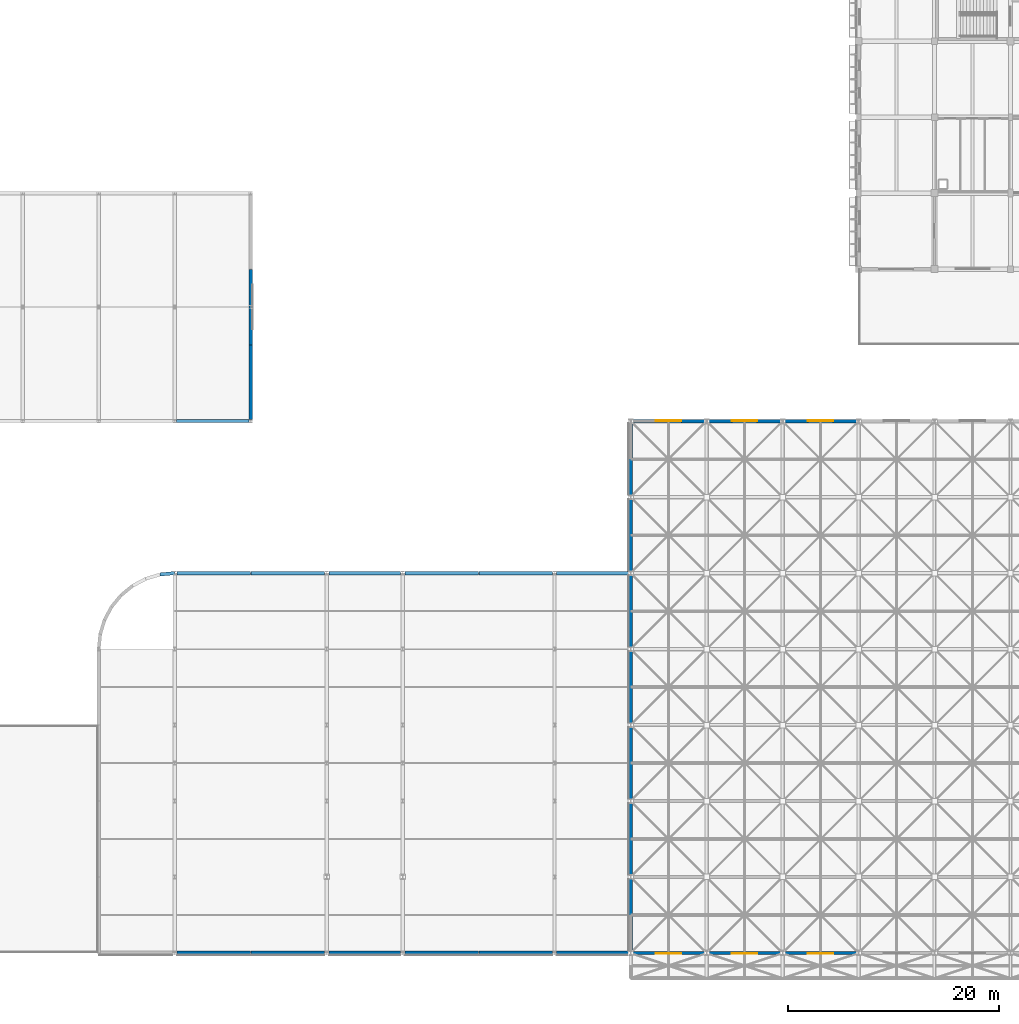
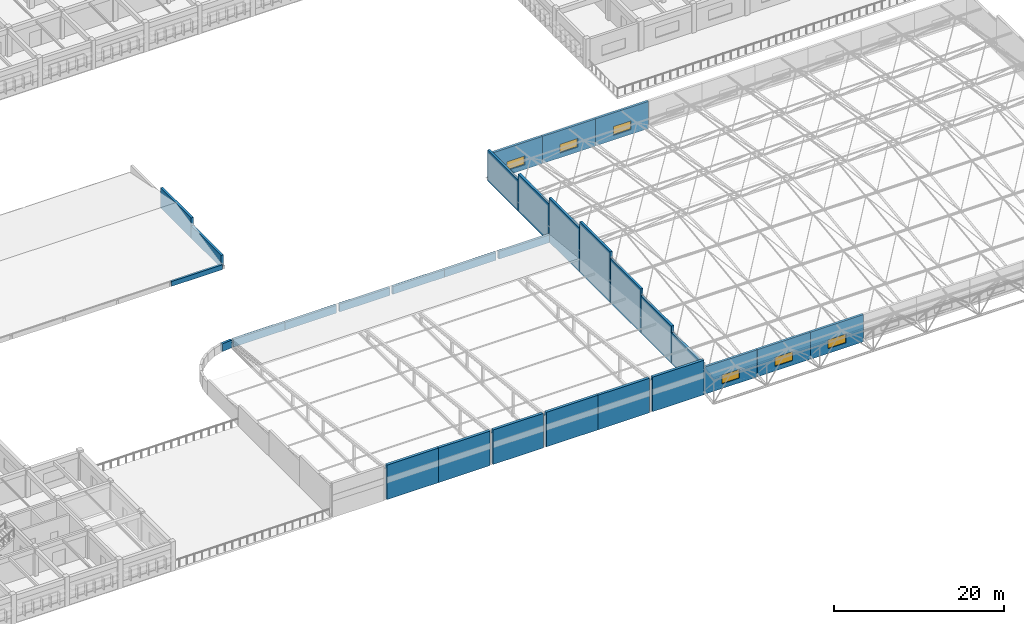
# One storey, part 84 of 103: 29 walls, 6 windows, 6 openings.
"""IFC4 building model written with IfcOpenShell, lengths in metres."""

import ifcopenshell
import ifcopenshell.guid

model = None  # the IFC model being written
_history = None  # IfcOwnerHistory: only IFC2X3 demands one
_inside = {}  # id of a spatial element -> (the spatial element, [elements in it])
_under = {}  # id of a project, library or spatial element -> (it, [spatial elements below it])
_declared = {}  # id of a project -> (the project, [libraries it declares])
_typed = {}  # id of a type object -> (the type object, [elements of that type])
_made_of = {}  # id of a material, layer set ... -> (it, [elements and type objects made of it])


def new_model(schema):
    """Start an empty IFC model of exactly this schema.

    Asked for "IFC4X3", IfcOpenShell would pick the latest addendum, in which some entities
    have other attributes; the version numbers below select the first issue.
    IFC2X3 requires an IfcOwnerHistory on every rooted entity: one is made here for all.
    """
    global model, _history
    if schema == "IFC4X3":
        model = ifcopenshell.file(schema_version=(4, 3, 0, 0))
    else:
        model = ifcopenshell.file(schema=schema)
    _inside.clear()
    _under.clear()
    _declared.clear()
    _typed.clear()
    _made_of.clear()
    _history = None
    if model.schema == "IFC2X3":
        org = make("IfcOrganization", Name="unknown")
        user = make(
            "IfcPersonAndOrganization",
            ThePerson=make("IfcPerson", FamilyName="unknown"),
            TheOrganization=org,
        )
        app = make(
            "IfcApplication",
            ApplicationDeveloper=org,
            Version="unknown",
            ApplicationFullName="unknown",
            ApplicationIdentifier="unknown",
        )
        _history = make(
            "IfcOwnerHistory",
            OwningUser=user,
            OwningApplication=app,
            ChangeAction="ADDED",
            CreationDate=0,
        )
    return model


def make(cls, **values):
    """One entity of the class cls with the attributes given. An attribute that is None is left unset."""
    return model.create_entity(
        cls, **{name: value for name, value in values.items() if value is not None}
    )


def rooted(cls, **values):
    """An entity with a GlobalId (a new one), such as an element, a storey or a relation."""
    return make(cls, GlobalId=ifcopenshell.guid.new(), OwnerHistory=_history, **values)


def si_unit(unit_type, name, prefix=None):
    """IfcSIUnit, for example si_unit("LENGTHUNIT", "METRE", prefix="MILLI")."""
    return make("IfcSIUnit", UnitType=unit_type, Prefix=prefix, Name=name)


def assignment(units):
    """IfcUnitAssignment: the units of a project."""
    return None if units is None else make("IfcUnitAssignment", Units=units)


def point(xyz):
    """IfcCartesianPoint."""
    return None if xyz is None else make("IfcCartesianPoint", Coordinates=xyz)


def direction(xyz):
    """IfcDirection."""
    return None if xyz is None else make("IfcDirection", DirectionRatios=xyz)


def frame(location, z_axis=None, x_axis=None):
    """IfcAxis2Placement3D, a coordinate frame: its origin and axes. An axis left out is left unset."""
    return make(
        "IfcAxis2Placement3D",
        Location=point(location),
        Axis=direction(z_axis),
        RefDirection=direction(x_axis),
    )


def frame_2d(location, x_axis=None):
    """IfcAxis2Placement2D, a coordinate frame in the plane: its origin and x axis."""
    return make(
        "IfcAxis2Placement2D", Location=point(location), RefDirection=direction(x_axis)
    )


def origin():
    """The frame at (0, 0, 0) with its axes left unset."""
    return frame((0.0, 0.0, 0.0))


def place(relative_to, where):
    """IfcLocalPlacement: puts the frame where relative to a parent placement (None: the world)."""
    return make(
        "IfcLocalPlacement", PlacementRelTo=relative_to, RelativePlacement=where
    )


def context(
    kind, dimensions, precision=None, world=None, true_north=None, identifier=None
):
    """IfcGeometricRepresentationContext, for example the 3D "Model" context."""
    return make(
        "IfcGeometricRepresentationContext",
        ContextIdentifier=identifier,
        ContextType=kind,
        CoordinateSpaceDimension=dimensions,
        Precision=precision,
        WorldCoordinateSystem=world,
        TrueNorth=true_north,
    )


def subcontext(parent, identifier, kind, view, scale=None):
    """IfcGeometricRepresentationSubContext, for example "Body" below "Model"."""
    return make(
        "IfcGeometricRepresentationSubContext",
        ContextIdentifier=identifier,
        ContextType=kind,
        ParentContext=parent,
        TargetScale=scale,
        TargetView=view,
    )


def project(units=None, contexts=None):
    """IfcProject with its units and contexts."""
    return rooted(
        "IfcProject",
        Name="project",
        RepresentationContexts=contexts,
        UnitsInContext=assignment(units),
    )


def spatial(cls, under=None, at=None, **own):
    """A site, building, storey or space (cls), placed at a placement, below another one or the project."""
    s = rooted(cls, ObjectPlacement=at, **own)
    if under is not None:
        _under.setdefault(under.id(), (under, []))[1].append(s)
    return s


def profile(cls, at=None, kind="AREA", **sizes):
    """A parametric profile (cls). Its sizes go by their IFC names, for example OverallWidth=200.0."""
    return make(cls, ProfileType=kind, Position=at, **sizes)


def rectangle(**sizes):
    """IfcRectangleProfileDef."""
    return profile("IfcRectangleProfileDef", **sizes)


def extrude(swept, where, along, depth):
    """IfcExtrudedAreaSolid: the profile swept, set in the frame where, extruded along a direction by depth."""
    return make(
        "IfcExtrudedAreaSolid",
        SweptArea=swept,
        Position=where,
        ExtrudedDirection=direction(along),
        Depth=depth,
    )


def shape(context_of_items, identifier, shape_type, items):
    """IfcShapeRepresentation: the items that make up one representation, for example the "Body"."""
    return make(
        "IfcShapeRepresentation",
        ContextOfItems=context_of_items,
        RepresentationIdentifier=identifier,
        RepresentationType=shape_type,
        Items=items,
    )


def material(Name=None, Category=None):
    """IfcMaterial."""
    return make("IfcMaterial", Name=Name, Category=Category)


def layer(
    of_material, thickness, ventilated=None, Name=None, Category=None, Priority=None
):
    """IfcMaterialLayer: one layer of a wall or slab, of a material (None: an air gap)."""
    return make(
        "IfcMaterialLayer",
        Material=of_material,
        LayerThickness=thickness,
        IsVentilated=ventilated,
        Name=Name,
        Category=Category,
        Priority=Priority,
    )


def layer_set(layers, Name=None):
    """IfcMaterialLayerSet."""
    return make("IfcMaterialLayerSet", MaterialLayers=layers, LayerSetName=Name)


def made_of(thing, what):
    """Note that an element or type object is made of a material, layer set ...; save() writes the relation."""
    if what is not None:
        _made_of.setdefault(what.id(), (what, []))[1].append(thing)
    return thing


def type_object(cls, material=None, **own):
    """A type object (cls), such as IfcWallType, which elements share."""
    return made_of(rooted(cls, **own), material)


def element(
    cls,
    number,
    at=None,
    inside=None,
    cuts=None,
    type_object=None,
    material=None,
    context=None,
    identifier="Body",
    shape_type=None,
    held_by="IfcProductDefinitionShape",
    body=None,
    shapes=None,
    **own,
):
    """One element of the class cls, such as IfcWall. Its Tag is "e" and its number.

    at: its placement. inside: the storey or other place that contains it. cuts: it is an
    opening in that element (IfcRelVoidsElement). A single representation is given by context,
    identifier, shape_type and body (its items); several are given by shapes. held_by: the class
    of the entity that holds the representations. save() writes the other relations.
    """
    e = rooted(cls, Tag="e%d" % number, ObjectPlacement=at, **own)
    if body is not None:
        shapes = [shape(context, identifier, shape_type, body)]
    if shapes is not None:
        e.Representation = make(held_by, Representations=shapes)
    if inside is not None:
        _inside.setdefault(inside.id(), (inside, []))[1].append(e)
    if cuts is not None:
        rooted(
            "IfcRelVoidsElement", RelatingBuildingElement=cuts, RelatedOpeningElement=e
        )
    if type_object is not None:
        _typed.setdefault(type_object.id(), (type_object, []))[1].append(e)
    return made_of(e, material)


def fill(opening, filler):
    """IfcRelFillsElement: the door or window that sits in an opening."""
    return rooted(
        "IfcRelFillsElement",
        RelatingOpeningElement=opening,
        RelatedBuildingElement=filler,
    )


def aggregate(whole, parts):
    """IfcRelAggregates: a whole, such as a stair, and the parts it consists of."""
    return rooted("IfcRelAggregates", RelatingObject=whole, RelatedObjects=parts)


def save(model, path):
    """Write the relations noted so far, then the file.

    IfcRelAggregates (storeys below a building ...), IfcRelContainedInSpatialStructure (elements
    in a storey), IfcRelDefinesByType, IfcRelAssociatesMaterial and IfcRelDeclares: one each for
    every whole, place, type object, material and project.
    """
    for whole, parts in _under.values():
        aggregate(whole, parts)
    for where, things in _inside.values():
        rooted(
            "IfcRelContainedInSpatialStructure",
            RelatedElements=things,
            RelatingStructure=where,
        )
    for kind, things in _typed.values():
        rooted("IfcRelDefinesByType", RelatedObjects=things, RelatingType=kind)
    for what, things in _made_of.values():
        rooted("IfcRelAssociatesMaterial", RelatedObjects=things, RelatingMaterial=what)
    for by, libraries in _declared.values():
        rooted("IfcRelDeclares", RelatingContext=by, RelatedDefinitions=libraries)
    model.write(path)


model = new_model("IFC4")

# Units and contexts
model_context = context("Model", 3, precision=1e-05, world=origin(), true_north=direction((0.0, 1.0)))
body_context = subcontext(model_context, "Body", "Model", "MODEL_VIEW")
ifc_project = project(units=[si_unit("LENGTHUNIT", "METRE"), si_unit("AREAUNIT", "SQUARE_METRE"), si_unit("VOLUMEUNIT", "CUBIC_METRE"), si_unit("PLANEANGLEUNIT", "RADIAN"), si_unit("MASSUNIT", "GRAM", prefix="KILO")], contexts=[model_context])

# Site, building, storey
site_placement = place(None, origin())
site = spatial("IfcSite", under=ifc_project, at=site_placement, CompositionType="ELEMENT")
building_placement = place(site_placement, origin())
building = spatial("IfcBuilding", under=site, at=building_placement, Name="Thalmaran Polytechnic", CompositionType="ELEMENT")
storey_placement = place(building_placement, frame((0.0, 0.0, 14.39990234375)))
storey = spatial("IfcBuildingStorey", under=building, at=storey_placement, Name="L03", CompositionType="ELEMENT", Elevation=14.39990234375)

# Walls
ifc_material_1 = material(Name="Precast concrete C40/50", Category="concrete")
ifc_layer_1 = layer(ifc_material_1, 0.360107421875, Name="Precast concrete C40/50")
ifc_layer_set_1 = layer_set([ifc_layer_1], Name="Precast concrete C40/50")
wall_type_1 = type_object("IfcWallType", Name="WL-EW01", PredefinedType="STANDARD", material=ifc_layer_set_1)
for number, where, z_axis, x_axis, name in (
    (1, (65.0, 0.0, -0.02001953125), (0.0, 0.0, 1.0), (1.0, 0.0, 0.0), "Lecture Auditorium Acoustic South Wall 09"),
    (2, (72.010009765625, 0.0, -0.02001953125), (0.0, 0.0, 1.0), (1.0, 0.0, 0.0), "Lecture Auditorium Acoustic South Wall 10"),
):
    element("IfcWall", number, at=place(storey_placement, frame(where, z_axis=z_axis, x_axis=x_axis)), inside=storey, type_object=wall_type_1, Name=name, PredefinedType="STANDARD", context=body_context, shape_type="SweptSolid", body=[
        extrude(rectangle(XDim=6.989990234375, YDim=0.3798828125, at=frame_2d((3.4951171875, 0.0))), origin(), (0.0, 0.0, 1.0), 4.9501953125),
    ])
wall_1_placement = place(storey_placement, frame((79.39990234375, 0.0, -0.02001953125), z_axis=(0.0, 0.0, 1.0), x_axis=(1.0, 0.0, 0.0)))
element("IfcWall", 3, at=wall_1_placement, inside=storey, type_object=wall_type_1, Name="Lecture Auditorium Acoustic South Wall 11", PredefinedType="STANDARD", context=body_context, shape_type="SweptSolid", body=[
    extrude(rectangle(XDim=6.800048828125, YDim=0.3798828125, at=frame_2d((3.39990234375, 0.0))), origin(), (0.0, 0.0, 1.0), 4.9501953125),
])
for number, where, z_axis, x_axis, name in (
    (4, (86.60009765625, 0.0, -0.02001953125), (0.0, 0.0, 1.0), (1.0, 0.0, 0.0), "Lecture Auditorium Acoustic South Wall 12"),
    (5, (93.610107421875, 0.0, -0.02001953125), (0.0, 0.0, 1.0), (1.0, 0.0, 0.0), "Lecture Auditorium Acoustic South Wall 13"),
    (6, (101.0, 0.0, -0.02001953125), (0.0, 0.0, 1.0), (1.0, 0.0, 0.0), "Lecture Auditorium Acoustic South Wall 14"),
):
    element("IfcWall", number, at=place(storey_placement, frame(where, z_axis=z_axis, x_axis=x_axis)), inside=storey, type_object=wall_type_1, Name=name, PredefinedType="STANDARD", context=body_context, shape_type="SweptSolid", body=[
        extrude(rectangle(XDim=6.989990234375, YDim=0.3798828125, at=frame_2d((3.4951171875, 0.0))), origin(), (0.0, 0.0, 1.0), 4.9501953125),
    ])

# Wall, opening, window
ifc_layer_2 = layer(ifc_material_1, 0.330078125, Name="Precast concrete C40/50")
ifc_layer_set_2 = layer_set([ifc_layer_2], Name="Precast concrete C40/50")
wall_type_2 = type_object("IfcWallType", Name="WL-EW02", PredefinedType="STANDARD", material=ifc_layer_set_2)
wall_2_placement = place(storey_placement, frame((108.010009765625, 0.0, -0.02001953125), z_axis=(0.0, 0.0, 1.0), x_axis=(1.0, 0.0, 0.0)))
wall_2 = element("IfcWall", 7, at=wall_2_placement, inside=storey, type_object=wall_type_2, Name="Workshop Space-Frame Eave Clerestory Wall S-15", PredefinedType="STANDARD", context=body_context, shape_type="SweptSolid", body=[
    extrude(rectangle(XDim=7.179931640625, YDim=0.320068359375, at=frame_2d((3.58984375, 0.0))), origin(), (0.0, 0.0, 1.0), 3.89013671875),
])
opening_1_placement = place(wall_2_placement, frame((2.389892578125, 0.0, 0.679931640625)))
opening_1 = element("IfcOpeningElement", 8, at=opening_1_placement, cuts=wall_2, Name="Opening CL03", PredefinedType="OPENING", context=body_context, shape_type="SweptSolid", body=[
    extrude(rectangle(XDim=2.39990234375, YDim=1.25, at=frame_2d((1.199951171875, 0.625))), frame((0.0, 0.169921875, 0.0), z_axis=(0.0, -1.0, 0.0), x_axis=(1.0, 0.0, 0.0)), (0.0, 0.0, 1.0), 0.340087890625),
])
ifc_material_2 = material(Name="Thermally broken aluminium and double low-E glass", Category="aluminium")
window_type = type_object("IfcWindowType", Name="WN-CL03", PartitioningType="DOUBLE_PANEL_VERTICAL", PredefinedType="WINDOW", material=ifc_material_2)
window_1_placement = place(opening_1_placement, origin())
window_1 = element("IfcWindow", 9, at=window_1_placement, inside=storey, type_object=window_type, Name="Workshop High-Bay Eave Clerestory S-15", OverallHeight=1.25, OverallWidth=2.39990234375, PartitioningType="SINGLE_PANEL", PredefinedType="WINDOW", context=body_context, shape_type="SweptSolid", body=[
    extrude(rectangle(XDim=2.39990234375, YDim=1.25, at=frame_2d((1.199951171875, 0.625))), frame((0.0, -0.010009765625, 0.0), z_axis=(0.0, -1.0, 0.0), x_axis=(1.0, 0.0, 0.0)), (0.0, 0.0, 1.0), 0.06005859375),
])
fill(opening_1, window_1)

wall_3_placement = place(storey_placement, frame((115.18994140625, 50.39990234375, -0.02001953125), z_axis=(0.0, 0.0, 1.0), x_axis=(-1.0, 0.0, 0.0)))
wall_3 = element("IfcWall", 10, at=wall_3_placement, inside=storey, type_object=wall_type_2, Name="Workshop Space-Frame Eave Clerestory Wall N-15", PredefinedType="STANDARD", context=body_context, shape_type="SweptSolid", body=[
    extrude(rectangle(XDim=7.179931640625, YDim=0.320068359375, at=frame_2d((3.58984375, 0.0))), origin(), (0.0, 0.0, 1.0), 3.89013671875),
])
opening_2_placement = place(wall_3_placement, frame((2.389892578125, 0.0, 0.679931640625)))
opening_2 = element("IfcOpeningElement", 11, at=opening_2_placement, cuts=wall_3, Name="Opening CL03", PredefinedType="OPENING", context=body_context, shape_type="SweptSolid", body=[
    extrude(rectangle(XDim=2.39990234375, YDim=1.25, at=frame_2d((1.199951171875, 0.625))), frame((0.0, 0.169921875, 0.0), z_axis=(0.0, -1.0, 0.0), x_axis=(1.0, 0.0, 0.0)), (0.0, 0.0, 1.0), 0.340087890625),
])
window_2_placement = place(opening_2_placement, origin())
window_2 = element("IfcWindow", 12, at=window_2_placement, inside=storey, type_object=window_type, Name="Workshop High-Bay Eave Clerestory N-15", OverallHeight=1.25, OverallWidth=2.39990234375, PartitioningType="SINGLE_PANEL", PredefinedType="WINDOW", context=body_context, shape_type="SweptSolid", body=[
    extrude(rectangle(XDim=2.39990234375, YDim=1.25, at=frame_2d((1.199951171875, 0.625))), frame((0.0, -0.010009765625, 0.0), z_axis=(0.0, -1.0, 0.0), x_axis=(1.0, 0.0, 0.0)), (0.0, 0.0, 1.0), 0.06005859375),
])
fill(opening_2, window_2)

wall_4_placement = place(storey_placement, frame((115.2099609375, 0.0, -0.02001953125), z_axis=(0.0, 0.0, 1.0), x_axis=(1.0, 0.0, 0.0)))
wall_4 = element("IfcWall", 13, at=wall_4_placement, inside=storey, type_object=wall_type_2, Name="Workshop Space-Frame Eave Clerestory Wall S-16", PredefinedType="STANDARD", context=body_context, shape_type="SweptSolid", body=[
    extrude(rectangle(XDim=7.179931640625, YDim=0.320068359375, at=frame_2d((3.58984375, 0.0))), origin(), (0.0, 0.0, 1.0), 3.89013671875),
])
opening_3_placement = place(wall_4_placement, frame((2.389892578125, 0.0, 0.679931640625)))
opening_3 = element("IfcOpeningElement", 14, at=opening_3_placement, cuts=wall_4, Name="Opening CL03", PredefinedType="OPENING", context=body_context, shape_type="SweptSolid", body=[
    extrude(rectangle(XDim=2.39990234375, YDim=1.25, at=frame_2d((1.199951171875, 0.625))), frame((0.0, 0.169921875, 0.0), z_axis=(0.0, -1.0, 0.0), x_axis=(1.0, 0.0, 0.0)), (0.0, 0.0, 1.0), 0.340087890625),
])
window_3_placement = place(opening_3_placement, origin())
window_3 = element("IfcWindow", 15, at=window_3_placement, inside=storey, type_object=window_type, Name="Workshop High-Bay Eave Clerestory S-16", OverallHeight=1.25, OverallWidth=2.39990234375, PartitioningType="SINGLE_PANEL", PredefinedType="WINDOW", context=body_context, shape_type="SweptSolid", body=[
    extrude(rectangle(XDim=2.39990234375, YDim=1.25, at=frame_2d((1.199951171875, 0.625))), frame((0.0, -0.010009765625, 0.0), z_axis=(0.0, -1.0, 0.0), x_axis=(1.0, 0.0, 0.0)), (0.0, 0.0, 1.0), 0.06005859375),
])
fill(opening_3, window_3)

wall_5_placement = place(storey_placement, frame((122.389892578125, 50.39990234375, -0.02001953125), z_axis=(0.0, 0.0, 1.0), x_axis=(-1.0, 0.0, 0.0)))
wall_5 = element("IfcWall", 16, at=wall_5_placement, inside=storey, type_object=wall_type_2, Name="Workshop Space-Frame Eave Clerestory Wall N-16", PredefinedType="STANDARD", context=body_context, shape_type="SweptSolid", body=[
    extrude(rectangle(XDim=7.179931640625, YDim=0.320068359375, at=frame_2d((3.58984375, 0.0))), origin(), (0.0, 0.0, 1.0), 3.89013671875),
])
opening_4_placement = place(wall_5_placement, frame((2.389892578125, 0.0, 0.679931640625)))
opening_4 = element("IfcOpeningElement", 17, at=opening_4_placement, cuts=wall_5, Name="Opening CL03", PredefinedType="OPENING", context=body_context, shape_type="SweptSolid", body=[
    extrude(rectangle(XDim=2.39990234375, YDim=1.25, at=frame_2d((1.199951171875, 0.625))), frame((0.0, 0.169921875, 0.0), z_axis=(0.0, -1.0, 0.0), x_axis=(1.0, 0.0, 0.0)), (0.0, 0.0, 1.0), 0.340087890625),
])
window_4_placement = place(opening_4_placement, origin())
window_4 = element("IfcWindow", 18, at=window_4_placement, inside=storey, type_object=window_type, Name="Workshop High-Bay Eave Clerestory N-16", OverallHeight=1.25, OverallWidth=2.39990234375, PartitioningType="SINGLE_PANEL", PredefinedType="WINDOW", context=body_context, shape_type="SweptSolid", body=[
    extrude(rectangle(XDim=2.39990234375, YDim=1.25, at=frame_2d((1.199951171875, 0.625))), frame((0.0, -0.010009765625, 0.0), z_axis=(0.0, -1.0, 0.0), x_axis=(1.0, 0.0, 0.0)), (0.0, 0.0, 1.0), 0.06005859375),
])
fill(opening_4, window_4)

wall_6_placement = place(storey_placement, frame((122.409912109375, 0.0, -0.02001953125), z_axis=(0.0, 0.0, 1.0), x_axis=(1.0, 0.0, 0.0)))
wall_6 = element("IfcWall", 19, at=wall_6_placement, inside=storey, type_object=wall_type_2, Name="Workshop Space-Frame Eave Clerestory Wall S-17", PredefinedType="STANDARD", context=body_context, shape_type="SweptSolid", body=[
    extrude(rectangle(XDim=7.18017578125, YDim=0.320068359375, at=frame_2d((3.590087890625, 0.0))), origin(), (0.0, 0.0, 1.0), 3.89013671875),
])
opening_5_placement = place(wall_6_placement, frame((2.389892578125, 0.0, 0.679931640625)))
opening_5 = element("IfcOpeningElement", 20, at=opening_5_placement, cuts=wall_6, Name="Opening CL03", PredefinedType="OPENING", context=body_context, shape_type="SweptSolid", body=[
    extrude(rectangle(XDim=2.39990234375, YDim=1.25, at=frame_2d((1.199951171875, 0.625))), frame((0.0, 0.169921875, 0.0), z_axis=(0.0, -1.0, 0.0), x_axis=(1.0, 0.0, 0.0)), (0.0, 0.0, 1.0), 0.340087890625),
])
window_5_placement = place(opening_5_placement, origin())
window_5 = element("IfcWindow", 21, at=window_5_placement, inside=storey, type_object=window_type, Name="Workshop High-Bay Eave Clerestory S-17", OverallHeight=1.25, OverallWidth=2.39990234375, PartitioningType="SINGLE_PANEL", PredefinedType="WINDOW", context=body_context, shape_type="SweptSolid", body=[
    extrude(rectangle(XDim=2.39990234375, YDim=1.25, at=frame_2d((1.199951171875, 0.625))), frame((0.0, -0.010009765625, 0.0), z_axis=(0.0, -1.0, 0.0), x_axis=(1.0, 0.0, 0.0)), (0.0, 0.0, 1.0), 0.06005859375),
])
fill(opening_5, window_5)

wall_7_placement = place(storey_placement, frame((129.590087890625, 50.39990234375, -0.02001953125), z_axis=(0.0, 0.0, 1.0), x_axis=(-1.0, 0.0, 0.0)))
wall_7 = element("IfcWall", 22, at=wall_7_placement, inside=storey, type_object=wall_type_2, Name="Workshop Space-Frame Eave Clerestory Wall N-17", PredefinedType="STANDARD", context=body_context, shape_type="SweptSolid", body=[
    extrude(rectangle(XDim=7.18017578125, YDim=0.320068359375, at=frame_2d((3.590087890625, 0.0))), origin(), (0.0, 0.0, 1.0), 3.89013671875),
])
opening_6_placement = place(wall_7_placement, frame((2.389892578125, 0.0, 0.679931640625)))
opening_6 = element("IfcOpeningElement", 23, at=opening_6_placement, cuts=wall_7, Name="Opening CL03", PredefinedType="OPENING", context=body_context, shape_type="SweptSolid", body=[
    extrude(rectangle(XDim=2.39990234375, YDim=1.25, at=frame_2d((1.199951171875, 0.625))), frame((0.0, 0.169921875, 0.0), z_axis=(0.0, -1.0, 0.0), x_axis=(1.0, 0.0, 0.0)), (0.0, 0.0, 1.0), 0.340087890625),
])
window_6_placement = place(opening_6_placement, origin())
window_6 = element("IfcWindow", 24, at=window_6_placement, inside=storey, type_object=window_type, Name="Workshop High-Bay Eave Clerestory N-17", OverallHeight=1.25, OverallWidth=2.39990234375, PartitioningType="SINGLE_PANEL", PredefinedType="WINDOW", context=body_context, shape_type="SweptSolid", body=[
    extrude(rectangle(XDim=2.39990234375, YDim=1.25, at=frame_2d((1.199951171875, 0.625))), frame((0.0, -0.010009765625, 0.0), z_axis=(0.0, -1.0, 0.0), x_axis=(1.0, 0.0, 0.0)), (0.0, 0.0, 1.0), 0.06005859375),
])
fill(opening_6, window_6)

# Walls
wall_8_placement = place(storey_placement, frame((108.0, 7.18994140625, -0.02001953125), z_axis=(0.0, 0.0, 1.0), x_axis=(0.0, -1.0, 0.0)))
element("IfcWall", 25, at=wall_8_placement, inside=storey, type_object=wall_type_2, Name="Workshop Space-Frame Gable Clerestory Wall W-00", PredefinedType="STANDARD", context=body_context, shape_type="SweptSolid", body=[
    extrude(rectangle(XDim=7.179931640625, YDim=0.320068359375, at=frame_2d((3.58984375, 0.0))), origin(), (0.0, 0.0, 1.0), 4.444091796875),
])
wall_9_placement = place(storey_placement, frame((108.0, 14.389892578125, -0.02001953125), z_axis=(0.0, 0.0, 1.0), x_axis=(0.0, -1.0, 0.0)))
element("IfcWall", 26, at=wall_9_placement, inside=storey, type_object=wall_type_2, Name="Workshop Space-Frame Gable Clerestory Wall W-01", PredefinedType="STANDARD", context=body_context, shape_type="SweptSolid", body=[
    extrude(rectangle(XDim=7.179931640625, YDim=0.320068359375, at=frame_2d((3.58984375, 0.0))), origin(), (0.0, 0.0, 1.0), 5.391845703125),
])
wall_10_placement = place(storey_placement, frame((108.0, 21.590087890625, -0.02001953125), z_axis=(0.0, 0.0, 1.0), x_axis=(0.0, -1.0, 0.0)))
element("IfcWall", 27, at=wall_10_placement, inside=storey, type_object=wall_type_2, Name="Workshop Space-Frame Gable Clerestory Wall W-02", PredefinedType="STANDARD", context=body_context, shape_type="SweptSolid", body=[
    extrude(rectangle(XDim=7.18017578125, YDim=0.320068359375, at=frame_2d((3.590087890625, 0.0))), origin(), (0.0, 0.0, 1.0), 6.33984375),
])
wall_11_placement = place(storey_placement, frame((108.0, 28.7900390625, -0.02001953125), z_axis=(0.0, 0.0, 1.0), x_axis=(0.0, -1.0, 0.0)))
element("IfcWall", 28, at=wall_11_placement, inside=storey, type_object=wall_type_2, Name="Workshop Space-Frame Gable Clerestory Wall W-03", PredefinedType="STANDARD", context=body_context, shape_type="SweptSolid", body=[
    extrude(rectangle(XDim=7.179931640625, YDim=0.320068359375, at=frame_2d((3.58984375, 0.0))), origin(), (0.0, 0.0, 1.0), 7.287841796875),
])
wall_12_placement = place(storey_placement, frame((108.0, 35.989990234375, -0.02001953125), z_axis=(0.0, 0.0, 1.0), x_axis=(0.0, -1.0, 0.0)))
element("IfcWall", 29, at=wall_12_placement, inside=storey, type_object=wall_type_2, Name="Workshop Space-Frame Gable Clerestory Wall W-04", PredefinedType="STANDARD", context=body_context, shape_type="SweptSolid", body=[
    extrude(rectangle(XDim=7.179931640625, YDim=0.320068359375, at=frame_2d((3.58984375, 0.0))), origin(), (0.0, 0.0, 1.0), 6.33984375),
])
wall_13_placement = place(storey_placement, frame((108.0, 43.18994140625, -0.02001953125), z_axis=(0.0, 0.0, 1.0), x_axis=(0.0, -1.0, 0.0)))
element("IfcWall", 30, at=wall_13_placement, inside=storey, type_object=wall_type_2, Name="Workshop Space-Frame Gable Clerestory Wall W-05", PredefinedType="STANDARD", context=body_context, shape_type="SweptSolid", body=[
    extrude(rectangle(XDim=7.179931640625, YDim=0.320068359375, at=frame_2d((3.58984375, 0.0))), origin(), (0.0, 0.0, 1.0), 5.391845703125),
])
wall_14_placement = place(storey_placement, frame((108.0, 50.389892578125, -0.02001953125), z_axis=(0.0, 0.0, 1.0), x_axis=(0.0, -1.0, 0.0)))
element("IfcWall", 31, at=wall_14_placement, inside=storey, type_object=wall_type_2, Name="Workshop Space-Frame Gable Clerestory Wall W-06", PredefinedType="STANDARD", context=body_context, shape_type="SweptSolid", body=[
    extrude(rectangle(XDim=7.179931640625, YDim=0.320068359375, at=frame_2d((3.58984375, 0.0))), origin(), (0.0, 0.0, 1.0), 4.444091796875),
])
for number, where, z_axis, x_axis, name in (
    (32, (71.989990234375, 36.0, -0.02001953125), (0.0, 0.0, 1.0), (-1.0, 0.0, 0.0), "Lecture Auditorium Court Eave Wall 09"),
    (33, (79.0, 36.0, -0.02001953125), (0.0, 0.0, 1.0), (-1.0, 0.0, 0.0), "Lecture Auditorium Court Eave Wall 10"),
):
    element("IfcWall", number, at=place(storey_placement, frame(where, z_axis=z_axis, x_axis=x_axis)), inside=storey, type_object=wall_type_2, Name=name, PredefinedType="STANDARD", context=body_context, shape_type="SweptSolid", body=[
        extrude(rectangle(XDim=6.989990234375, YDim=0.320068359375, at=frame_2d((3.4951171875, 0.0))), origin(), (0.0, 0.0, 1.0), 1.10009765625),
    ])
wall_15_placement = place(storey_placement, frame((86.199951171875, 36.0, -0.02001953125), z_axis=(0.0, 0.0, 1.0), x_axis=(-1.0, 0.0, 0.0)))
element("IfcWall", 34, at=wall_15_placement, inside=storey, type_object=wall_type_2, Name="Lecture Auditorium Court Eave Wall 11", PredefinedType="STANDARD", context=body_context, shape_type="SweptSolid", body=[
    extrude(rectangle(XDim=6.800048828125, YDim=0.320068359375, at=frame_2d((3.39990234375, 0.0))), origin(), (0.0, 0.0, 1.0), 1.10009765625),
])
for number, where, z_axis, x_axis, name in (
    (35, (93.590087890625, 36.0, -0.02001953125), (0.0, 0.0, 1.0), (-1.0, 0.0, 0.0), "Lecture Auditorium Court Eave Wall 12"),
    (36, (100.60009765625, 36.0, -0.02001953125), (0.0, 0.0, 1.0), (-1.0, 0.0, 0.0), "Lecture Auditorium Court Eave Wall 13"),
    (37, (107.989990234375, 36.0, -0.02001953125), (0.0, 0.0, 1.0), (-1.0, 0.0, 0.0), "Lecture Auditorium Court Eave Wall 14"),
):
    element("IfcWall", number, at=place(storey_placement, frame(where, z_axis=z_axis, x_axis=x_axis)), inside=storey, type_object=wall_type_2, Name=name, PredefinedType="STANDARD", context=body_context, shape_type="SweptSolid", body=[
        extrude(rectangle(XDim=6.989990234375, YDim=0.320068359375, at=frame_2d((3.4951171875, 0.0))), origin(), (0.0, 0.0, 1.0), 1.10009765625),
    ])
wall_16_placement = place(storey_placement, frame((63.395263671875, 35.861572265625, -0.02001953125), z_axis=(0.0, 0.0, 1.0), x_axis=(0.995179993822, 0.098065181873, 0.0)))
element("IfcWall", 38, at=wall_16_placement, inside=storey, type_object=wall_type_2, Name="Lecture Auditorium Curved Corner Wall 1", PredefinedType="STANDARD", context=body_context, shape_type="SweptSolid", body=[
    extrude(rectangle(XDim=1.41162109375, YDim=0.320068359375, at=frame_2d((0.705810546875, 0.0))), origin(), (0.0, 0.0, 1.0), 1.107421875),
])
ifc_layer_3 = layer(ifc_material_1, 0.31005859375, Name="Precast concrete C40/50")
ifc_layer_set_3 = layer_set([ifc_layer_3], Name="Precast concrete C40/50")
wall_type_3 = type_object("IfcWallType", Name="WL-EW03", PredefinedType="STANDARD", material=ifc_layer_set_3)
wall_17_placement = place(storey_placement, frame((64.949951171875, 50.39990234375, -0.02001953125), z_axis=(0.0, 0.0, 1.0), x_axis=(1.0, 0.0, 0.0)))
element("IfcWall", 39, at=wall_17_placement, inside=storey, type_object=wall_type_3, Name="Refectory Roof Eave Spandrel S-09", PredefinedType="STANDARD", context=body_context, shape_type="SweptSolid", body=[
    extrude(rectangle(XDim=6.900146484375, YDim=0.31005859375, at=frame_2d((3.4501953125, 0.0))), origin(), (0.0, 0.0, 1.0), 0.690185546875),
])
wall_18_placement = place(storey_placement, frame((72.0, 50.550048828125, 0.0), z_axis=(0.0, 0.0, 1.0), x_axis=(0.0, 1.0, 0.0)))
element("IfcWall", 40, at=wall_18_placement, inside=storey, type_object=wall_type_3, Name="Refectory East Gable Clerestory Wall 7", PredefinedType="STANDARD", context=body_context, shape_type="SweptSolid", body=[
    extrude(rectangle(XDim=7.0400390625, YDim=0.31005859375, at=frame_2d((3.52001953125, 0.0))), origin(), (0.0, 0.0, 1.0), 1.798828125),
])
wall_19_placement = place(storey_placement, frame((72.0, 57.610107421875, 0.0), z_axis=(0.0, 0.0, 1.0), x_axis=(0.0, 1.0, 0.0)))
element("IfcWall", 41, at=wall_19_placement, inside=storey, type_object=wall_type_3, Name="Refectory East Gable Clerestory Wall 8", PredefinedType="STANDARD", context=body_context, shape_type="SweptSolid", body=[
    extrude(rectangle(XDim=7.179931640625, YDim=0.31005859375, at=frame_2d((3.58984375, 0.0))), origin(), (0.0, 0.0, 1.0), 2.887451171875),
])

save(model, "model.ifc")
